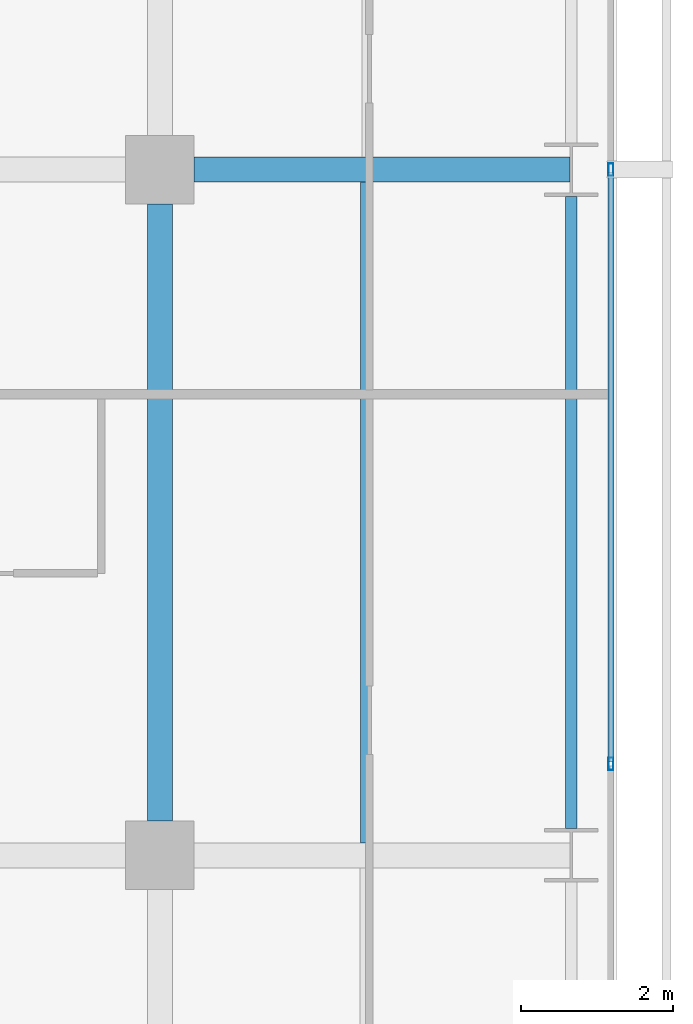
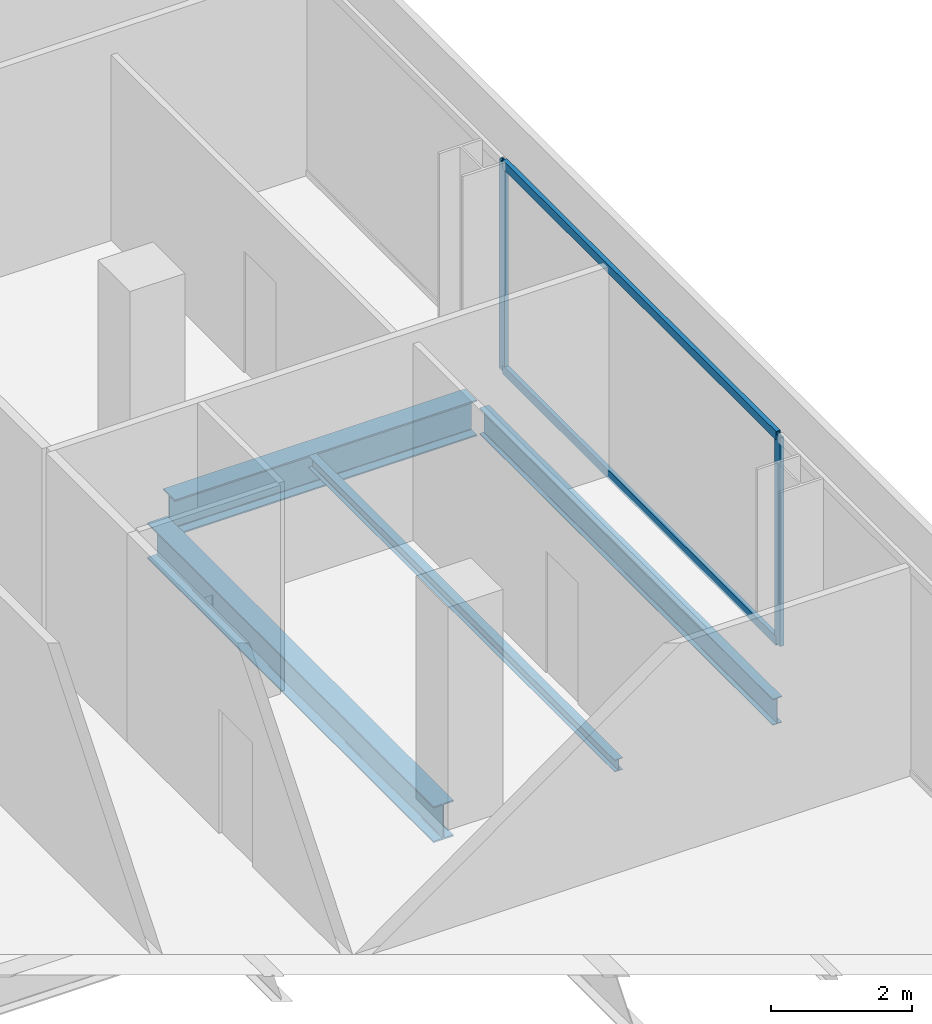
# One storey, part 19 of 39: 4 beams, 4 members, 1 element without a shape of its own.
"""IFC4 building model written with IfcOpenShell, lengths in metres."""

import ifcopenshell
import ifcopenshell.guid

model = None  # the IFC model being written
_history = None  # IfcOwnerHistory: only IFC2X3 demands one
_inside = {}  # id of a spatial element -> (the spatial element, [elements in it])
_under = {}  # id of a project, library or spatial element -> (it, [spatial elements below it])
_declared = {}  # id of a project -> (the project, [libraries it declares])
_typed = {}  # id of a type object -> (the type object, [elements of that type])
_made_of = {}  # id of a material, layer set ... -> (it, [elements and type objects made of it])


def new_model(schema):
    """Start an empty IFC model of exactly this schema.

    Asked for "IFC4X3", IfcOpenShell would pick the latest addendum, in which some entities
    have other attributes; the version numbers below select the first issue.
    IFC2X3 requires an IfcOwnerHistory on every rooted entity: one is made here for all.
    """
    global model, _history
    if schema == "IFC4X3":
        model = ifcopenshell.file(schema_version=(4, 3, 0, 0))
    else:
        model = ifcopenshell.file(schema=schema)
    _inside.clear()
    _under.clear()
    _declared.clear()
    _typed.clear()
    _made_of.clear()
    _history = None
    if model.schema == "IFC2X3":
        org = make("IfcOrganization", Name="unknown")
        user = make(
            "IfcPersonAndOrganization",
            ThePerson=make("IfcPerson", FamilyName="unknown"),
            TheOrganization=org,
        )
        app = make(
            "IfcApplication",
            ApplicationDeveloper=org,
            Version="unknown",
            ApplicationFullName="unknown",
            ApplicationIdentifier="unknown",
        )
        _history = make(
            "IfcOwnerHistory",
            OwningUser=user,
            OwningApplication=app,
            ChangeAction="ADDED",
            CreationDate=0,
        )
    return model


def make(cls, **values):
    """One entity of the class cls with the attributes given. An attribute that is None is left unset."""
    return model.create_entity(
        cls, **{name: value for name, value in values.items() if value is not None}
    )


def rooted(cls, **values):
    """An entity with a GlobalId (a new one), such as an element, a storey or a relation."""
    return make(cls, GlobalId=ifcopenshell.guid.new(), OwnerHistory=_history, **values)


def si_unit(unit_type, name, prefix=None):
    """IfcSIUnit, for example si_unit("LENGTHUNIT", "METRE", prefix="MILLI")."""
    return make("IfcSIUnit", UnitType=unit_type, Prefix=prefix, Name=name)


def assignment(units):
    """IfcUnitAssignment: the units of a project."""
    return None if units is None else make("IfcUnitAssignment", Units=units)


def point(xyz):
    """IfcCartesianPoint."""
    return None if xyz is None else make("IfcCartesianPoint", Coordinates=xyz)


def direction(xyz):
    """IfcDirection."""
    return None if xyz is None else make("IfcDirection", DirectionRatios=xyz)


def frame(location, z_axis=None, x_axis=None):
    """IfcAxis2Placement3D, a coordinate frame: its origin and axes. An axis left out is left unset."""
    return make(
        "IfcAxis2Placement3D",
        Location=point(location),
        Axis=direction(z_axis),
        RefDirection=direction(x_axis),
    )


def frame_2d(location, x_axis=None):
    """IfcAxis2Placement2D, a coordinate frame in the plane: its origin and x axis."""
    return make(
        "IfcAxis2Placement2D", Location=point(location), RefDirection=direction(x_axis)
    )


def origin():
    """The frame at (0, 0, 0) with its axes left unset."""
    return frame((0.0, 0.0, 0.0))


def origin_2d():
    """The frame at (0, 0) in the plane with its x axis left unset."""
    return frame_2d((0.0, 0.0))


def place(relative_to, where):
    """IfcLocalPlacement: puts the frame where relative to a parent placement (None: the world)."""
    return make(
        "IfcLocalPlacement", PlacementRelTo=relative_to, RelativePlacement=where
    )


def context(
    kind, dimensions, precision=None, world=None, true_north=None, identifier=None
):
    """IfcGeometricRepresentationContext, for example the 3D "Model" context."""
    return make(
        "IfcGeometricRepresentationContext",
        ContextIdentifier=identifier,
        ContextType=kind,
        CoordinateSpaceDimension=dimensions,
        Precision=precision,
        WorldCoordinateSystem=world,
        TrueNorth=true_north,
    )


def subcontext(parent, identifier, kind, view, scale=None):
    """IfcGeometricRepresentationSubContext, for example "Body" below "Model"."""
    return make(
        "IfcGeometricRepresentationSubContext",
        ContextIdentifier=identifier,
        ContextType=kind,
        ParentContext=parent,
        TargetScale=scale,
        TargetView=view,
    )


def project(units=None, contexts=None):
    """IfcProject with its units and contexts."""
    return rooted(
        "IfcProject",
        Name="project",
        RepresentationContexts=contexts,
        UnitsInContext=assignment(units),
    )


def spatial(cls, under=None, at=None, **own):
    """A site, building, storey or space (cls), placed at a placement, below another one or the project."""
    s = rooted(cls, ObjectPlacement=at, **own)
    if under is not None:
        _under.setdefault(under.id(), (under, []))[1].append(s)
    return s


def profile(cls, at=None, kind="AREA", **sizes):
    """A parametric profile (cls). Its sizes go by their IFC names, for example OverallWidth=200.0."""
    return make(cls, ProfileType=kind, Position=at, **sizes)


def hollow_rectangle(**sizes):
    """IfcRectangleHollowProfileDef."""
    return profile("IfcRectangleHollowProfileDef", **sizes)


def i_section(**sizes):
    """IfcIShapeProfileDef."""
    return profile("IfcIShapeProfileDef", **sizes)


def extrude(swept, where, along, depth):
    """IfcExtrudedAreaSolid: the profile swept, set in the frame where, extruded along a direction by depth."""
    return make(
        "IfcExtrudedAreaSolid",
        SweptArea=swept,
        Position=where,
        ExtrudedDirection=direction(along),
        Depth=depth,
    )


def shape(context_of_items, identifier, shape_type, items):
    """IfcShapeRepresentation: the items that make up one representation, for example the "Body"."""
    return make(
        "IfcShapeRepresentation",
        ContextOfItems=context_of_items,
        RepresentationIdentifier=identifier,
        RepresentationType=shape_type,
        Items=items,
    )


def material(Name=None, Category=None):
    """IfcMaterial."""
    return make("IfcMaterial", Name=Name, Category=Category)


def layer(
    of_material, thickness, ventilated=None, Name=None, Category=None, Priority=None
):
    """IfcMaterialLayer: one layer of a wall or slab, of a material (None: an air gap)."""
    return make(
        "IfcMaterialLayer",
        Material=of_material,
        LayerThickness=thickness,
        IsVentilated=ventilated,
        Name=Name,
        Category=Category,
        Priority=Priority,
    )


def layer_set(layers, Name=None):
    """IfcMaterialLayerSet."""
    return make("IfcMaterialLayerSet", MaterialLayers=layers, LayerSetName=Name)


def material_profile(
    of_material, cross_section, Name=None, Category=None, Priority=None
):
    """IfcMaterialProfile: a cross section and its material."""
    return make(
        "IfcMaterialProfile",
        Name=Name,
        Material=of_material,
        Profile=cross_section,
        Priority=Priority,
        Category=Category,
    )


def profile_set(profiles, Name=None, composite=None):
    """IfcMaterialProfileSet."""
    return make(
        "IfcMaterialProfileSet",
        Name=Name,
        MaterialProfiles=profiles,
        CompositeProfile=composite,
    )


def made_of(thing, what):
    """Note that an element or type object is made of a material, layer set ...; save() writes the relation."""
    if what is not None:
        _made_of.setdefault(what.id(), (what, []))[1].append(thing)
    return thing


def type_object(cls, material=None, **own):
    """A type object (cls), such as IfcWallType, which elements share."""
    return made_of(rooted(cls, **own), material)


def element(
    cls,
    number,
    at=None,
    inside=None,
    cuts=None,
    type_object=None,
    material=None,
    context=None,
    identifier="Body",
    shape_type=None,
    held_by="IfcProductDefinitionShape",
    body=None,
    shapes=None,
    **own,
):
    """One element of the class cls, such as IfcWall. Its Tag is "e" and its number.

    at: its placement. inside: the storey or other place that contains it. cuts: it is an
    opening in that element (IfcRelVoidsElement). A single representation is given by context,
    identifier, shape_type and body (its items); several are given by shapes. held_by: the class
    of the entity that holds the representations. save() writes the other relations.
    """
    e = rooted(cls, Tag="e%d" % number, ObjectPlacement=at, **own)
    if body is not None:
        shapes = [shape(context, identifier, shape_type, body)]
    if shapes is not None:
        e.Representation = make(held_by, Representations=shapes)
    if inside is not None:
        _inside.setdefault(inside.id(), (inside, []))[1].append(e)
    if cuts is not None:
        rooted(
            "IfcRelVoidsElement", RelatingBuildingElement=cuts, RelatedOpeningElement=e
        )
    if type_object is not None:
        _typed.setdefault(type_object.id(), (type_object, []))[1].append(e)
    return made_of(e, material)


def aggregate(whole, parts):
    """IfcRelAggregates: a whole, such as a stair, and the parts it consists of."""
    return rooted("IfcRelAggregates", RelatingObject=whole, RelatedObjects=parts)


def save(model, path):
    """Write the relations noted so far, then the file.

    IfcRelAggregates (storeys below a building ...), IfcRelContainedInSpatialStructure (elements
    in a storey), IfcRelDefinesByType, IfcRelAssociatesMaterial and IfcRelDeclares: one each for
    every whole, place, type object, material and project.
    """
    for whole, parts in _under.values():
        aggregate(whole, parts)
    for where, things in _inside.values():
        rooted(
            "IfcRelContainedInSpatialStructure",
            RelatedElements=things,
            RelatingStructure=where,
        )
    for kind, things in _typed.values():
        rooted("IfcRelDefinesByType", RelatedObjects=things, RelatingType=kind)
    for what, things in _made_of.values():
        rooted("IfcRelAssociatesMaterial", RelatedObjects=things, RelatingMaterial=what)
    for by, libraries in _declared.values():
        rooted("IfcRelDeclares", RelatingContext=by, RelatedDefinitions=libraries)
    model.write(path)


model = new_model("IFC4")

# Units and contexts
model_context = context("Model", 3, precision=1e-05, world=origin(), true_north=direction((0.0, 1.0)))
body_context = subcontext(model_context, "Body", "Model", "MODEL_VIEW")
ifc_project = project(units=[si_unit("LENGTHUNIT", "METRE"), si_unit("AREAUNIT", "SQUARE_METRE"), si_unit("VOLUMEUNIT", "CUBIC_METRE"), si_unit("PLANEANGLEUNIT", "RADIAN"), si_unit("MASSUNIT", "GRAM", prefix="KILO")], contexts=[model_context])

# Site, building, storey
site_placement = place(None, origin())
site = spatial("IfcSite", under=ifc_project, at=site_placement, CompositionType="ELEMENT")
building_placement = place(site_placement, origin())
building = spatial("IfcBuilding", under=site, at=building_placement, Name="Maruvema Waterfront Hotel and Observation Tower", CompositionType="ELEMENT")
storey_placement = place(building_placement, frame((0.0, 0.0, 69.300048828125)))
storey = spatial("IfcBuildingStorey", under=building, at=storey_placement, Name="L16", CompositionType="ELEMENT", Elevation=69.300048828125)

# Curtain wall, members
ifc_material_1 = material(Name="Anodised bronze aluminium and solar-control low-E IGU", Category="aluminium")
ifc_layer = layer(ifc_material_1, 0.159912109375, Name="Zone 1 Bronze Inner Thermal Curtain Wall System CW-02")
ifc_layer_set = layer_set([ifc_layer], Name="Anodised bronze aluminium and solar-control low-E IGU")
curtain_wall_type = type_object("IfcCurtainWallType", Name="Zone 1 Bronze Inner Thermal Curtain Wall System CW-02", PredefinedType="USERDEFINED", material=ifc_layer_set)
curtain_wall_placement = place(storey_placement, origin())
curtain_wall = element("IfcCurtainWall", 1, at=curtain_wall_placement, inside=storey, type_object=curtain_wall_type, Name="L16 Curtain Wall CW-L16-E", ObjectType="UNITISED CURTAIN WALL", PredefinedType="USERDEFINED")
ifc_material_2 = material(Name="Anodised architectural bronze aluminium", Category="aluminium")
ifc_material_profile_1 = material_profile(ifc_material_2, hollow_rectangle(XDim=0.070068359375, YDim=0.14990234375, WallThickness=0.00390625, at=origin_2d()), Name="ALU-T70x150")
ifc_profile_set_1 = profile_set([ifc_material_profile_1], Name="Anodised architectural bronze aluminium")
member_type_1 = type_object("IfcMemberType", Name="Curtain Wall Horizontal Transom ALU-T70x150", PredefinedType="USERDEFINED", material=ifc_profile_set_1)
member_1_placement = place(storey_placement, frame((64.719970703125, 19.22998046875, 0.030029296875), z_axis=(0.0, 1.0, 0.0), x_axis=(-1.0, 0.0, 0.0)))
member_1 = element("IfcMember", 2, at=member_1_placement, type_object=member_type_1, Name="CW-02 transom 3.1", ObjectType="TRANSOM", PredefinedType="USERDEFINED", context=body_context, shape_type="SweptSolid", body=[
    extrude(hollow_rectangle(XDim=0.070068359375, YDim=0.14990234375, WallThickness=0.00390625, at=origin_2d()), origin(), (0.0, 0.0, 1.0), 7.739990234375),
])
member_2_placement = place(storey_placement, frame((64.719970703125, 19.22998046875, 3.579833984375), z_axis=(0.0, 1.0, 0.0), x_axis=(-1.0, 0.0, 0.0)))
member_2 = element("IfcMember", 3, at=member_2_placement, type_object=member_type_1, Name="CW-02 transom 3.2", ObjectType="TRANSOM", PredefinedType="USERDEFINED", context=body_context, shape_type="SweptSolid", body=[
    extrude(hollow_rectangle(XDim=0.070068359375, YDim=0.14990234375, WallThickness=0.00390625, at=origin_2d()), origin(), (0.0, 0.0, 1.0), 7.739990234375),
])
ifc_material_3 = material(Name="Anodised architectural bronze aluminium", Category="aluminium")
ifc_material_profile_2 = material_profile(ifc_material_3, hollow_rectangle(XDim=0.06494140625, YDim=0.1650390625, WallThickness=0.00390625, at=origin_2d()), Name="ALU-M65x165")
ifc_profile_set_2 = profile_set([ifc_material_profile_2], Name="Anodised architectural bronze aluminium")
member_type_2 = type_object("IfcMemberType", Name="Curtain Wall Primary Mullion ALU-M65x165", PredefinedType="MULLION", material=ifc_profile_set_2)
member_3_placement = place(storey_placement, frame((64.719970703125, 19.199951171875, 0.0), z_axis=(0.0, 0.0, 1.0), x_axis=(-1.0, 0.0, 0.0)))
member_3 = element("IfcMember", 4, at=member_3_placement, type_object=member_type_2, Name="CW-02 mullion 3", PredefinedType="MULLION", context=body_context, shape_type="SweptSolid", body=[
    extrude(hollow_rectangle(XDim=0.06494140625, YDim=0.1650390625, WallThickness=0.00390625, at=origin_2d()), origin(), (0.0, 0.0, 1.0), 3.60986328125),
])
member_4_placement = place(storey_placement, frame((64.719970703125, 27.0, 0.0), z_axis=(0.0, 0.0, 1.0), x_axis=(-1.0, 0.0, 0.0)))
member_4 = element("IfcMember", 5, at=member_4_placement, type_object=member_type_2, Name="CW-02 mullion 4", PredefinedType="MULLION", context=body_context, shape_type="SweptSolid", body=[
    extrude(hollow_rectangle(XDim=0.06494140625, YDim=0.1650390625, WallThickness=0.00390625, at=origin_2d()), origin(), (0.0, 0.0, 1.0), 3.60986328125),
])
aggregate(curtain_wall, [member_3, member_4, member_1, member_2])

# Beams
ifc_material_4 = material(Name="Steel ASTM A572 Grade 50", Category="steel")
ifc_material_profile_3 = material_profile(ifc_material_4, i_section(OverallWidth=0.153076171875, OverallDepth=0.455078125, WebThickness=0.008056640625, FlangeThickness=0.01318359375, FilletRadius=0.014892578125, at=origin_2d()), Name="W460x60.0")
ifc_profile_set_3 = profile_set([ifc_material_profile_3], Name="Steel ASTM A572 Grade 50")
beam_type_1 = type_object("IfcBeamType", Name="Perimeter Spandrel Beam W460x60.0", PredefinedType="SPANDREL", material=ifc_profile_set_3)
beam_1_placement = place(storey_placement, frame((64.199951171875, 18.35009765625, -0.467529296875), z_axis=(0.0, 1.0, 0.0), x_axis=(-1.0, 0.0, 0.0)))
element("IfcBeam", 6, at=beam_1_placement, inside=storey, type_object=beam_type_1, Name="L16 Floor Girder NS-34", PredefinedType="SPANDREL", context=body_context, shape_type="SweptSolid", body=[
    extrude(i_section(OverallWidth=0.153076171875, OverallDepth=0.455078125, WebThickness=0.008056640625, FlangeThickness=0.01318359375, FilletRadius=0.014892578125, at=origin_2d()), origin(), (0.0, 0.0, 1.0), 8.2998046875),
])
ifc_material_5 = material(Name="Steel ASTM A572 Grade 50", Category="steel")
ifc_material_profile_4 = material_profile(ifc_material_5, i_section(OverallWidth=0.326904296875, OverallDepth=0.6220703125, WebThickness=0.015380859375, FlangeThickness=0.0244140625, FilletRadius=0.01806640625, at=origin_2d()), Name="W610x195.0")
ifc_profile_set_4 = profile_set([ifc_material_profile_4], Name="Steel ASTM A572 Grade 50")
beam_type_2 = type_object("IfcBeamType", Name="Primary Floor Girder W610x195.0", PredefinedType="BEAM", material=ifc_profile_set_4)
beam_2_placement = place(storey_placement, frame((59.25, 27.0, -0.551025390625), z_axis=(1.0, 0.0, 0.0), x_axis=(0.0, 1.0, 0.0)))
element("IfcBeam", 7, at=beam_2_placement, inside=storey, type_object=beam_type_2, Name="L16 Floor Girder EW-24", PredefinedType="BEAM", context=body_context, shape_type="SweptSolid", body=[
    extrude(i_section(OverallWidth=0.326904296875, OverallDepth=0.6220703125, WebThickness=0.015380859375, FlangeThickness=0.0244140625, FilletRadius=0.01806640625, at=origin_2d()), origin(), (0.0, 0.0, 1.0), 4.93603515625),
])
beam_3_placement = place(storey_placement, frame((58.800048828125, 18.449951171875, -0.551025390625), z_axis=(0.0, 1.0, 0.0), x_axis=(-1.0, 0.0, 0.0)))
element("IfcBeam", 8, at=beam_3_placement, inside=storey, type_object=beam_type_2, Name="L16 Floor Girder NS-29", PredefinedType="BEAM", context=body_context, shape_type="SweptSolid", body=[
    extrude(i_section(OverallWidth=0.326904296875, OverallDepth=0.6220703125, WebThickness=0.015380859375, FlangeThickness=0.0244140625, FilletRadius=0.01806640625, at=origin_2d()), origin(), (0.0, 0.0, 1.0), 8.10009765625),
])
ifc_material_6 = material(Name="Steel ASTM A572 Grade 50", Category="steel")
ifc_material_profile_5 = material_profile(ifc_material_6, i_section(OverallWidth=0.133056640625, OverallDepth=0.20703125, WebThickness=0.005859375, FlangeThickness=0.00830078125, FilletRadius=0.010009765625, at=origin_2d()), Name="W200x26.6")
ifc_profile_set_5 = profile_set([ifc_material_profile_5], Name="Steel ASTM A572 Grade 50")
beam_type_3 = type_object("IfcBeamType", Name="Secondary Floor Joist W200x26.6", PredefinedType="JOIST", material=ifc_profile_set_5)
beam_4_placement = place(storey_placement, frame((61.5, 18.16357421875, -0.343505859375), z_axis=(0.0, 1.0, 0.0), x_axis=(-1.0, 0.0, 0.0)))
element("IfcBeam", 9, at=beam_4_placement, inside=storey, type_object=beam_type_3, Name="L16 Secondary Floor Joist JS-22", PredefinedType="JOIST", context=body_context, shape_type="SweptSolid", body=[
    extrude(i_section(OverallWidth=0.133056640625, OverallDepth=0.20703125, WebThickness=0.005859375, FlangeThickness=0.00830078125, FilletRadius=0.010009765625, at=origin_2d()), origin(), (0.0, 0.0, 1.0), 8.6728515625),
])

save(model, "model.ifc")
